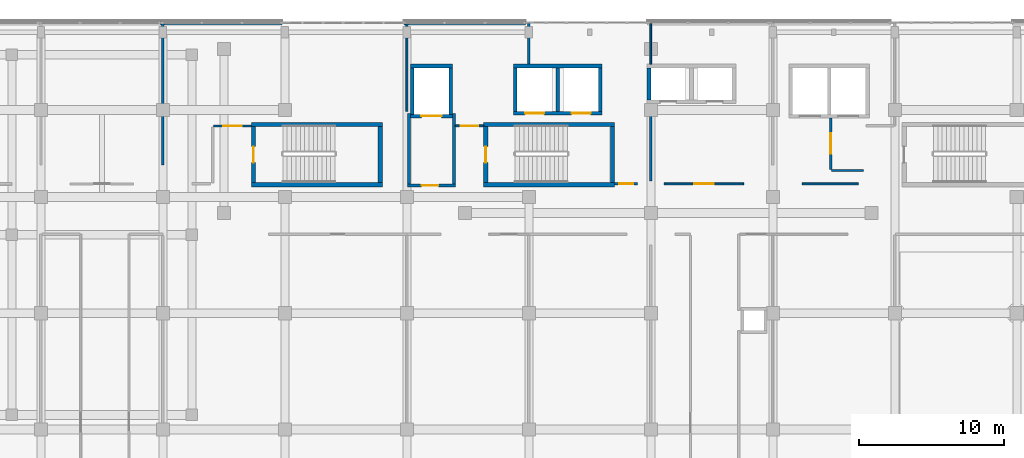
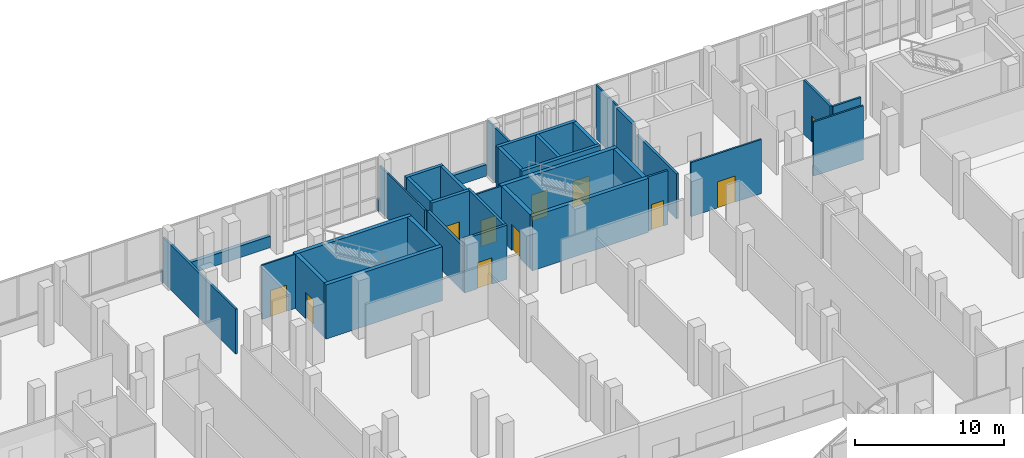
# One storey, part 148 of 168: 35 walls, 11 doors, 11 openings.
"""IFC4 building model written with IfcOpenShell, lengths in metres."""

from ifc_helpers import new_model, si_unit, direction, frame, frame_2d, origin, place, context, subcontext, project, spatial, rectangle, extrude, material, layer, layer_set, type_object, element, fill, save


model = new_model("IFC4")

# Units and contexts
model_context = context("Model", 3, precision=1e-05, world=origin(), true_north=direction((0.0, 1.0)))
body_context = subcontext(model_context, "Body", "Model", "MODEL_VIEW")
ifc_project = project(units=[si_unit("LENGTHUNIT", "METRE"), si_unit("AREAUNIT", "SQUARE_METRE"), si_unit("VOLUMEUNIT", "CUBIC_METRE"), si_unit("PLANEANGLEUNIT", "RADIAN"), si_unit("MASSUNIT", "GRAM", prefix="KILO")], contexts=[model_context])

# Site, building, storey
site_placement = place(None, origin())
site = spatial("IfcSite", under=ifc_project, at=site_placement, CompositionType="ELEMENT")
building_placement = place(site_placement, origin())
building = spatial("IfcBuilding", under=site, at=building_placement, Name="Selatvlak General Hospital", CompositionType="ELEMENT")
storey_placement = place(building_placement, frame((0.0, 0.0, 5.39990234375)))
storey = spatial("IfcBuildingStorey", under=building, at=storey_placement, Name="L01", CompositionType="ELEMENT", Elevation=5.39990234375)

# Walls
ifc_material_1 = material(Name="Precast concrete C40/50 - white Bauhaus spandrel", Category="concrete")
ifc_layer_1 = layer(ifc_material_1, 0.280029296875, Name="Precast concrete C40/50 - white Bauhaus spandrel", Category="concrete")
ifc_layer_set_1 = layer_set([ifc_layer_1], Name="Precast concrete C40/50 - white Bauhaus spandrel")
wall_type_1 = type_object("IfcWallType", Name="WALL-EW-02", PredefinedType="SOLIDWALL", material=ifc_layer_set_1)
wall_1_placement = place(storey_placement, frame((81.44189453125, 119.9990234375, 0.0), z_axis=(0.0, 0.0, 1.0), x_axis=(1.0, 0.0, 0.0)))
element("IfcWall", 1, at=wall_1_placement, inside=storey, type_object=wall_type_1, Name="L01 Bauhaus spandrel sill wall 0213", PredefinedType="SOLIDWALL", context=body_context, shape_type="SweptSolid", body=[
    extrude(rectangle(XDim=8.376220703125, YDim=0.280029296875, at=frame_2d((4.18798828125, 0.0))), origin(), (0.0, 0.0, 1.0), 0.940185546875),
])
wall_2_placement = place(storey_placement, frame((98.201904296875, 119.9990234375, 0.0), z_axis=(0.0, 0.0, 1.0), x_axis=(0.999999993202, 0.000116604477, 0.0)))
element("IfcWall", 2, at=wall_2_placement, inside=storey, type_object=wall_type_1, Name="L01 Bauhaus spandrel sill wall 0214", PredefinedType="SOLIDWALL", context=body_context, shape_type="SweptSolid", body=[
    extrude(rectangle(XDim=8.375, YDim=0.280029296875, at=frame_2d((4.1875, 0.0))), origin(), (0.0, 0.0, 1.0), 0.940185546875),
])

# Wall, opening, door
ifc_material_2 = material(Name="Concrete C40/50", Category="concrete")
ifc_layer_2 = layer(ifc_material_2, 0.199951171875, Name="Concrete C40/50", Category="concrete")
ifc_layer_set_2 = layer_set([ifc_layer_2], Name="Concrete C40/50")
wall_type_2 = type_object("IfcWallType", Name="WALL-IW-02", PredefinedType="SOLIDWALL", material=ifc_layer_set_2)
wall_3_placement = place(storey_placement, frame((98.449951171875, 108.800048828125, 0.0), z_axis=(0.0, 0.0, 1.0), x_axis=(1.0, 0.0, 0.0)))
wall_3 = element("IfcWall", 3, at=wall_3_placement, inside=storey, type_object=wall_type_2, Name="Firefighting lobby C2 wall L01 S", PredefinedType="SOLIDWALL", context=body_context, shape_type="SweptSolid", body=[
    extrude(rectangle(XDim=3.300048828125, YDim=0.199951171875, at=frame_2d((1.64990234375, 0.0))), origin(), (0.0, 0.0, 1.0), 4.445068359375),
])
opening_1_placement = place(wall_3_placement, frame((0.97509765625, 0.0, 0.0)))
opening_1 = element("IfcOpeningElement", 4, at=opening_1_placement, cuts=wall_3, Name="Opening D-06", PredefinedType="OPENING", context=body_context, shape_type="SweptSolid", body=[
    extrude(rectangle(XDim=1.14990234375, YDim=2.14990234375, at=frame_2d((0.574951171875, 1.074951171875))), frame((0.0, 0.10986328125, 0.0), z_axis=(0.0, -1.0, 0.0), x_axis=(1.0, 0.0, 0.0)), (0.0, 0.0, 1.0), 0.219970703125),
])
ifc_material_3 = material(Name="Firefighting lobby fire door")
door_type_1 = type_object("IfcDoorType", Name="DOOR-D-06", OperationType="NOTDEFINED", PredefinedType="DOOR", material=ifc_material_3)
door_1_placement = place(opening_1_placement, origin())
door_1 = element("IfcDoor", 5, at=door_1_placement, inside=storey, type_object=door_type_1, Name="Firefighting lobby C2 door on L01", OperationType="SINGLE_SWING_LEFT", OverallHeight=2.14990234375, OverallWidth=1.14990234375, PredefinedType="DOOR", context=body_context, shape_type="SweptSolid", body=[
    extrude(rectangle(XDim=1.14990234375, YDim=2.14990234375, at=frame_2d((0.574951171875, 1.074951171875))), frame((0.0, 0.02490234375, 0.0), z_axis=(0.0, -1.0, 0.0), x_axis=(1.0, 0.0, 0.0)), (0.0, 0.0, 1.0), 0.050048828125),
])
fill(opening_1, door_1)

# Walls
wall_4_placement = place(storey_placement, frame((101.64990234375, 108.89990234375, 0.0), z_axis=(0.0, 0.0, 1.0), x_axis=(0.0, 1.0, 0.0)))
element("IfcWall", 6, at=wall_4_placement, inside=storey, type_object=wall_type_2, Name="Firefighting lobby C2 wall L01 E", PredefinedType="SOLIDWALL", context=body_context, shape_type="SweptSolid", body=[
    extrude(rectangle(XDim=4.85009765625, YDim=0.199951171875, at=frame_2d((2.425048828125, 0.0))), origin(), (0.0, 0.0, 1.0), 4.445068359375),
])
wall_5_placement = place(storey_placement, frame((98.550048828125, 113.75, 0.0), z_axis=(0.0, 0.0, 1.0), x_axis=(0.0, -1.0, 0.0)))
element("IfcWall", 7, at=wall_5_placement, inside=storey, type_object=wall_type_2, Name="Firefighting lobby C2 wall L01 W", PredefinedType="SOLIDWALL", context=body_context, shape_type="SweptSolid", body=[
    extrude(rectangle(XDim=4.85009765625, YDim=0.199951171875, at=frame_2d((2.425048828125, 0.0))), origin(), (0.0, 0.0, 1.0), 3.695068359375),
])
ifc_material_4 = material(Name="Acoustic gypsum stud partition")
ifc_layer_3 = layer(ifc_material_4, 0.179931640625, Name="Acoustic gypsum stud partition")
ifc_layer_set_3 = layer_set([ifc_layer_3], Name="Acoustic gypsum stud partition")
wall_type_3 = type_object("IfcWallType", Name="WALL-PT-01", PredefinedType="PARTITIONING", material=ifc_layer_set_3)
wall_6_placement = place(storey_placement, frame((115.199951171875, 114.452880859375, 0.0), z_axis=(0.0, 0.0, 1.0), x_axis=(0.0, -1.0, 0.0)))
element("IfcWall", 8, at=wall_6_placement, inside=storey, type_object=wall_type_3, Name="L01 clinical partition PT-L01-1015", PredefinedType="PARTITIONING", context=body_context, shape_type="SweptSolid", body=[
    extrude(rectangle(XDim=5.3427734375, YDim=0.179931640625, at=frame_2d((2.67138671875, 0.0))), origin(), (0.0, 0.0, 1.0), 3.695068359375),
])
ifc_layer_4 = layer(ifc_material_4, 0.1650390625, Name="Acoustic gypsum stud partition")
ifc_layer_set_4 = layer_set([ifc_layer_4], Name="Acoustic gypsum stud partition")
wall_type_4 = type_object("IfcWallType", Name="WALL-PT-02", PredefinedType="PARTITIONING", material=ifc_layer_set_4)
wall_7_placement = place(storey_placement, frame((81.60009765625, 119.95703125, 0.0), z_axis=(0.0, 0.0, 1.0), x_axis=(0.0, -1.0, 0.0)))
element("IfcWall", 9, at=wall_7_placement, inside=storey, type_object=wall_type_4, Name="L01 clinical partition PT-L01-1006", PredefinedType="PARTITIONING", context=body_context, shape_type="SweptSolid", body=[
    extrude(rectangle(XDim=9.7470703125, YDim=0.1650390625, at=frame_2d((4.87353515625, 0.0))), origin(), (0.0, 0.0, 1.0), 3.695068359375),
])

# Wall, opening, door
wall_8_placement = place(storey_placement, frame((114.287109375, 108.909912109375, 0.0), z_axis=(0.0, 0.0, 1.0), x_axis=(-1.0, 0.0, 0.0)))
wall_8 = element("IfcWall", 10, at=wall_8_placement, inside=storey, type_object=wall_type_4, Name="L01 clinical partition PT-L01-1016", PredefinedType="PARTITIONING", context=body_context, shape_type="SweptSolid", body=[
    extrude(rectangle(XDim=1.5771484375, YDim=0.1650390625, at=frame_2d((0.78857421875, 0.0))), origin(), (0.0, 0.0, 1.0), 4.445068359375),
])
opening_2_placement = place(wall_8_placement, frame((0.31396484375, 0.0, 0.0)))
opening_2 = element("IfcOpeningElement", 11, at=opening_2_placement, cuts=wall_8, Name="Opening D-02", PredefinedType="OPENING", context=body_context, shape_type="SweptSolid", body=[
    extrude(rectangle(XDim=0.949951171875, YDim=2.10009765625, at=frame_2d((0.47509765625, 1.050048828125))), frame((0.0, 0.092529296875, 0.0), z_axis=(0.0, -1.0, 0.0), x_axis=(1.0, 0.0, 0.0)), (0.0, 0.0, 1.0), 0.18505859375),
])
ifc_material_5 = material(Name="Moisture-resistant en-suite door")
door_type_2 = type_object("IfcDoorType", Name="DOOR-D-02", OperationType="NOTDEFINED", PredefinedType="DOOR", material=ifc_material_5)
door_2_placement = place(opening_2_placement, origin())
door_2 = element("IfcDoor", 12, at=door_2_placement, inside=storey, type_object=door_type_2, Name="L01 High Dependency Critical Care Bay 73 door", OperationType="SINGLE_SWING_RIGHT", OverallHeight=2.10009765625, OverallWidth=0.949951171875, PredefinedType="DOOR", context=body_context, shape_type="SweptSolid", body=[
    extrude(rectangle(XDim=0.949951171875, YDim=2.10009765625, at=frame_2d((0.47509765625, 1.050048828125))), frame((0.0, 0.02490234375, 0.0), z_axis=(0.0, -1.0, 0.0), x_axis=(1.0, 0.0, 0.0)), (0.0, 0.0, 1.0), 0.050048828125),
])
fill(opening_2, door_2)

wall_9_placement = place(storey_placement, frame((127.590087890625, 113.452880859375, 0.0), z_axis=(0.0, 0.0, 1.0), x_axis=(0.0, -1.0, 0.0)))
wall_9 = element("IfcWall", 13, at=wall_9_placement, inside=storey, type_object=wall_type_4, Name="L01 clinical partition PT-L01-1021", PredefinedType="PARTITIONING", context=body_context, shape_type="SweptSolid", body=[
    extrude(rectangle(XDim=3.552978515625, YDim=0.1650390625, at=frame_2d((1.7763671875, 0.0))), origin(), (0.0, 0.0, 1.0), 4.445068359375),
])
opening_3_placement = place(wall_9_placement, frame((1.075927734375, 0.0, 0.0)))
opening_3 = element("IfcOpeningElement", 14, at=opening_3_placement, cuts=wall_9, Name="Opening D-11", PredefinedType="OPENING", context=body_context, shape_type="SweptSolid", body=[
    extrude(rectangle(XDim=1.39990234375, YDim=2.14990234375, at=frame_2d((0.699951171875, 1.074951171875))), frame((0.0, 0.092529296875, 0.0), z_axis=(0.0, -1.0, 0.0), x_axis=(1.0, 0.0, 0.0)), (0.0, 0.0, 1.0), 0.18505859375),
])
ifc_material_6 = material(Name="Inpatient suite bed door")
door_type_3 = type_object("IfcDoorType", Name="DOOR-D-11", OperationType="NOTDEFINED", PredefinedType="DOOR", material=ifc_material_6)
door_3_placement = place(opening_3_placement, origin())
door_3 = element("IfcDoor", 15, at=door_3_placement, inside=storey, type_object=door_type_3, Name="L01 Bronchoscopy Treatment Room 75 door", OperationType="SINGLE_SWING_RIGHT", OverallHeight=2.14990234375, OverallWidth=1.39990234375, PredefinedType="DOOR", context=body_context, shape_type="SweptSolid", body=[
    extrude(rectangle(XDim=1.39990234375, YDim=2.14990234375, at=frame_2d((0.699951171875, 1.074951171875))), frame((0.0, 0.02490234375, 0.0), z_axis=(0.0, -1.0, 0.0), x_axis=(1.0, 0.0, 0.0)), (0.0, 0.0, 1.0), 0.050048828125),
])
fill(opening_3, door_3)

# Walls
ifc_layer_5 = layer(ifc_material_4, 0.14990234375, Name="Acoustic gypsum stud partition")
ifc_layer_set_5 = layer_set([ifc_layer_5], Name="Acoustic gypsum stud partition")
wall_type_5 = type_object("IfcWallType", Name="WALL-PT-03", PredefinedType="PARTITIONING", material=ifc_layer_set_5)
wall_10_placement = place(storey_placement, frame((106.800048828125, 119.989013671875, 0.0), z_axis=(0.0, 0.0, 1.0), x_axis=(0.0, -1.0, 0.0)))
element("IfcWall", 16, at=wall_10_placement, inside=storey, type_object=wall_type_5, Name="L01 clinical partition PT-L01-1012", PredefinedType="PARTITIONING", context=body_context, shape_type="SweptSolid", body=[
    extrude(rectangle(XDim=2.842041015625, YDim=0.14990234375, at=frame_2d((1.4208984375, 0.0))), origin(), (0.0, 0.0, 1.0), 4.445068359375),
])
wall_11_placement = place(storey_placement, frame((127.64990234375, 109.840087890625, 0.0), z_axis=(0.0, 0.0, 1.0), x_axis=(1.0, 0.0, 0.0)))
element("IfcWall", 17, at=wall_11_placement, inside=storey, type_object=wall_type_5, Name="L01 clinical partition PT-L01-1022", PredefinedType="PARTITIONING", context=body_context, shape_type="SweptSolid", body=[
    extrude(rectangle(XDim=2.190185546875, YDim=0.14990234375, at=frame_2d((1.09521484375, 0.0))), origin(), (0.0, 0.0, 1.0), 4.445068359375),
])
ifc_material_7 = material(Name="Moisture-resistant clinical partition")
ifc_layer_6 = layer(ifc_material_7, 0.135009765625, Name="Moisture-resistant clinical partition")
ifc_layer_set_6 = layer_set([ifc_layer_6], Name="Moisture-resistant clinical partition")
wall_type_6 = type_object("IfcWallType", Name="WALL-PT-04", PredefinedType="PARTITIONING", material=ifc_layer_set_6)
wall_12_placement = place(storey_placement, frame((98.39990234375, 119.95703125, 0.0), z_axis=(0.0, 0.0, 1.0), x_axis=(0.0, -1.0, 0.0)))
element("IfcWall", 18, at=wall_12_placement, inside=storey, type_object=wall_type_6, Name="L01 clinical partition PT-L01-1008", PredefinedType="PARTITIONING", context=body_context, shape_type="SweptSolid", body=[
    extrude(rectangle(XDim=6.05810546875, YDim=0.135009765625, at=frame_2d((3.029052734375, 0.0))), origin(), (0.0, 0.0, 1.0), 3.695068359375),
])

# Wall, opening, door
wall_13_placement = place(storey_placement, frame((103.68994140625, 112.89990234375, 0.0), z_axis=(0.0, 0.0, 1.0), x_axis=(-1.0, 0.0, 0.0)))
wall_13 = element("IfcWall", 19, at=wall_13_placement, inside=storey, type_object=wall_type_6, Name="L01 clinical partition PT-L01-1013", PredefinedType="PARTITIONING", context=body_context, shape_type="SweptSolid", body=[
    extrude(rectangle(XDim=1.94287109375, YDim=0.135009765625, at=frame_2d((0.971435546875, 0.0))), origin(), (0.0, 0.0, 1.0), 4.445068359375),
])
opening_4_placement = place(wall_13_placement, frame((0.37109375, 0.0, 0.0)))
opening_4 = element("IfcOpeningElement", 20, at=opening_4_placement, cuts=wall_13, Name="Opening D-07", PredefinedType="OPENING", context=body_context, shape_type="SweptSolid", body=[
    extrude(rectangle(XDim=1.199951171875, YDim=2.14990234375, at=frame_2d((0.60009765625, 1.074951171875))), frame((0.0, 0.077392578125, 0.0), z_axis=(0.0, -1.0, 0.0), x_axis=(1.0, 0.0, 0.0)), (0.0, 0.0, 1.0), 0.155029296875),
])
ifc_material_8 = material(Name="Plant and store fire door")
door_type_4 = type_object("IfcDoorType", Name="DOOR-D-07", OperationType="NOTDEFINED", PredefinedType="DOOR", material=ifc_material_8)
door_4_placement = place(opening_4_placement, origin())
door_4 = element("IfcDoor", 21, at=door_4_placement, inside=storey, type_object=door_type_4, Name="L01 Paediatric Intensive Care Unit 72 door", OperationType="SINGLE_SWING_LEFT", OverallHeight=2.14990234375, OverallWidth=1.199951171875, PredefinedType="DOOR", context=body_context, shape_type="SweptSolid", body=[
    extrude(rectangle(XDim=1.199951171875, YDim=2.14990234375, at=frame_2d((0.60009765625, 1.074951171875))), frame((0.0, 0.02490234375, 0.0), z_axis=(0.0, -1.0, 0.0), x_axis=(1.0, 0.0, 0.0)), (0.0, 0.0, 1.0), 0.050048828125),
])
fill(opening_4, door_4)

wall_14_placement = place(storey_placement, frame((121.589111328125, 108.909912109375, 0.0), z_axis=(0.0, 0.0, 1.0), x_axis=(-1.0, 0.0, 0.0)))
wall_14 = element("IfcWall", 22, at=wall_14_placement, inside=storey, type_object=wall_type_6, Name="L01 clinical partition PT-L01-1018", PredefinedType="PARTITIONING", context=body_context, shape_type="SweptSolid", body=[
    extrude(rectangle(XDim=5.47607421875, YDim=0.135009765625, at=frame_2d((2.738037109375, 0.0))), origin(), (0.0, 0.0, 1.0), 4.445068359375),
])
opening_5_placement = place(wall_14_placement, frame((2.06298828125, 0.0, 0.0)))
opening_5 = element("IfcOpeningElement", 23, at=opening_5_placement, cuts=wall_14, Name="Opening D-10", PredefinedType="OPENING", context=body_context, shape_type="SweptSolid", body=[
    extrude(rectangle(XDim=1.35009765625, YDim=2.14990234375, at=frame_2d((0.675048828125, 1.074951171875))), frame((0.0, 0.077392578125, 0.0), z_axis=(0.0, -1.0, 0.0), x_axis=(1.0, 0.0, 0.0)), (0.0, 0.0, 1.0), 0.155029296875),
])
ifc_material_9 = material(Name="Single patient bed door")
door_type_5 = type_object("IfcDoorType", Name="DOOR-D-10", OperationType="NOTDEFINED", PredefinedType="DOOR", material=ifc_material_9)
door_5_placement = place(opening_5_placement, origin())
door_5 = element("IfcDoor", 24, at=door_5_placement, inside=storey, type_object=door_type_5, Name="L01 Endoscopy Procedure Suite 74 door", OperationType="SINGLE_SWING_LEFT", OverallHeight=2.14990234375, OverallWidth=1.35009765625, PredefinedType="DOOR", context=body_context, shape_type="SweptSolid", body=[
    extrude(rectangle(XDim=1.35009765625, YDim=2.14990234375, at=frame_2d((0.675048828125, 1.074951171875))), frame((0.0, 0.02490234375, 0.0), z_axis=(0.0, -1.0, 0.0), x_axis=(1.0, 0.0, 0.0)), (0.0, 0.0, 1.0), 0.050048828125),
])
fill(opening_5, door_5)

# Wall
wall_15_placement = place(storey_placement, frame((129.487060546875, 108.909912109375, 0.0), z_axis=(0.0, 0.0, 1.0), x_axis=(-1.0, 0.0, 0.0)))
element("IfcWall", 25, at=wall_15_placement, inside=storey, type_object=wall_type_6, Name="L01 clinical partition PT-L01-1023", PredefinedType="PARTITIONING", context=body_context, shape_type="SweptSolid", body=[
    extrude(rectangle(XDim=3.8759765625, YDim=0.135009765625, at=frame_2d((1.93798828125, 0.0))), origin(), (0.0, 0.0, 1.0), 4.445068359375),
])

# Wall, opening, door
ifc_layer_7 = layer(ifc_material_7, 0.1201171875, Name="Moisture-resistant clinical partition")
ifc_layer_set_7 = layer_set([ifc_layer_7], Name="Moisture-resistant clinical partition")
wall_type_7 = type_object("IfcWallType", Name="WALL-PT-05", PredefinedType="PARTITIONING", material=ifc_layer_set_7)
wall_16_placement = place(storey_placement, frame((87.68994140625, 112.89990234375, 0.0), z_axis=(0.0, 0.0, 1.0), x_axis=(-1.0, 0.0, 0.0)))
wall_16 = element("IfcWall", 26, at=wall_16_placement, inside=storey, type_object=wall_type_7, Name="L01 clinical partition PT-L01-1009", PredefinedType="PARTITIONING", context=body_context, shape_type="SweptSolid", body=[
    extrude(rectangle(XDim=2.58984375, YDim=0.1201171875, at=frame_2d((1.294921875, 0.0))), origin(), (0.0, 0.0, 1.0), 4.445068359375),
])
opening_6_placement = place(wall_16_placement, frame((0.669921875, 0.0, 0.0)))
opening_6 = element("IfcOpeningElement", 27, at=opening_6_placement, cuts=wall_16, Name="Opening D-08", PredefinedType="OPENING", context=body_context, shape_type="SweptSolid", body=[
    extrude(rectangle(XDim=1.25, YDim=2.14990234375, at=frame_2d((0.625, 1.074951171875))), frame((0.0, 0.070068359375, 0.0), z_axis=(0.0, -1.0, 0.0), x_axis=(1.0, 0.0, 0.0)), (0.0, 0.0, 1.0), 0.14013671875),
])
ifc_material_10 = material(Name="Diagnostic treatment door")
door_type_6 = type_object("IfcDoorType", Name="DOOR-D-08", OperationType="NOTDEFINED", PredefinedType="DOOR", material=ifc_material_10)
door_6_placement = place(opening_6_placement, origin())
door_6 = element("IfcDoor", 28, at=door_6_placement, inside=storey, type_object=door_type_6, Name="L01 Adult Intensive Care Unit Bay 71 door", OperationType="SINGLE_SWING_RIGHT", OverallHeight=2.14990234375, OverallWidth=1.25, PredefinedType="DOOR", context=body_context, shape_type="SweptSolid", body=[
    extrude(rectangle(XDim=1.25, YDim=2.14990234375, at=frame_2d((0.625, 1.074951171875))), frame((0.0, 0.02490234375, 0.0), z_axis=(0.0, -1.0, 0.0), x_axis=(1.0, 0.0, 0.0)), (0.0, 0.0, 1.0), 0.050048828125),
])
fill(opening_6, door_6)

# Walls
wall_17_placement = place(storey_placement, frame((115.199951171875, 119.9580078125, 0.0), z_axis=(0.0, 0.0, 1.0), x_axis=(0.0, -1.0, 0.0)))
element("IfcWall", 29, at=wall_17_placement, inside=storey, type_object=wall_type_7, Name="L01 clinical partition PT-L01-1014", PredefinedType="PARTITIONING", context=body_context, shape_type="SweptSolid", body=[
    extrude(rectangle(XDim=2.81103515625, YDim=0.1201171875, at=frame_2d((1.405517578125, 0.0))), origin(), (0.0, 0.0, 1.0), 4.445068359375),
])
ifc_material_11 = material(Name="Concrete C45/55", Category="concrete")
ifc_layer_8 = layer(ifc_material_11, 0.300048828125, Name="Concrete C45/55", Category="concrete")
ifc_layer_set_8 = layer_set([ifc_layer_8], Name="Concrete C45/55")
wall_type_8 = type_object("IfcWallType", Name="WALL-SW-02", PredefinedType="SHEAR", material=ifc_layer_set_8)
wall_18_placement = place(storey_placement, frame((87.68994140625, 108.840087890625, 0.0), z_axis=(0.0, 0.0, 1.0), x_axis=(1.0, 0.0, 0.0)))
element("IfcWall", 30, at=wall_18_placement, inside=storey, type_object=wall_type_8, Name="ST-02 core shear wall L01 S", PredefinedType="SHEAR", context=body_context, shape_type="SweptSolid", body=[
    extrude(rectangle(XDim=9.02001953125, YDim=0.300048828125, at=frame_2d((4.510009765625, 0.0))), origin(), (0.0, 0.0, 1.0), 4.445068359375),
])
wall_19_placement = place(storey_placement, frame((96.56005859375, 108.989990234375, 0.0), z_axis=(0.0, 0.0, 1.0), x_axis=(0.0, 1.0, 0.0)))
element("IfcWall", 31, at=wall_19_placement, inside=storey, type_object=wall_type_8, Name="ST-02 core shear wall L01 E", PredefinedType="SHEAR", context=body_context, shape_type="SweptSolid", body=[
    extrude(rectangle(XDim=3.860107421875, YDim=0.300048828125, at=frame_2d((1.93017578125, 0.0))), origin(), (0.0, 0.0, 1.0), 4.445068359375),
])
wall_20_placement = place(storey_placement, frame((96.7099609375, 113.0, 0.0), z_axis=(0.0, 0.0, 1.0), x_axis=(-1.0, 0.0, 0.0)))
element("IfcWall", 32, at=wall_20_placement, inside=storey, type_object=wall_type_8, Name="ST-02 core shear wall L01 N", PredefinedType="SHEAR", context=body_context, shape_type="SweptSolid", body=[
    extrude(rectangle(XDim=9.02001953125, YDim=0.300048828125, at=frame_2d((4.510009765625, 0.0))), origin(), (0.0, 0.0, 1.0), 4.445068359375),
])

# Wall, opening, door
wall_21_placement = place(storey_placement, frame((87.840087890625, 112.85009765625, 0.0), z_axis=(0.0, 0.0, 1.0), x_axis=(0.0, -1.0, 0.0)))
wall_21 = element("IfcWall", 33, at=wall_21_placement, inside=storey, type_object=wall_type_8, Name="ST-02 core shear wall L01 W", PredefinedType="SHEAR", context=body_context, shape_type="SweptSolid", body=[
    extrude(rectangle(XDim=3.860107421875, YDim=0.300048828125, at=frame_2d((1.93017578125, 0.0))), origin(), (0.0, 0.0, 1.0), 4.445068359375),
])
opening_7_placement = place(wall_21_placement, frame((1.3798828125, 0.0, 0.0)))
opening_7 = element("IfcOpeningElement", 34, at=opening_7_placement, cuts=wall_21, Name="Opening D-05", PredefinedType="OPENING", context=body_context, shape_type="SweptSolid", body=[
    extrude(rectangle(XDim=1.10009765625, YDim=2.14990234375, at=frame_2d((0.550048828125, 1.074951171875))), frame((0.0, 0.159912109375, 0.0), z_axis=(0.0, -1.0, 0.0), x_axis=(1.0, 0.0, 0.0)), (0.0, 0.0, 1.0), 0.320068359375),
])
ifc_material_12 = material(Name="Protected stair fire door")
door_type_7 = type_object("IfcDoorType", Name="DOOR-D-05", OperationType="NOTDEFINED", PredefinedType="DOOR", material=ifc_material_12)
door_7_placement = place(opening_7_placement, origin())
door_7 = element("IfcDoor", 35, at=door_7_placement, inside=storey, type_object=door_type_7, Name="ST-02 protected stair door on L01", OperationType="SINGLE_SWING_RIGHT", OverallHeight=2.14990234375, OverallWidth=1.10009765625, PredefinedType="DOOR", context=body_context, shape_type="SweptSolid", body=[
    extrude(rectangle(XDim=1.10009765625, YDim=2.14990234375, at=frame_2d((0.550048828125, 1.074951171875))), frame((0.0, 0.02490234375, 0.0), z_axis=(0.0, -1.0, 0.0), x_axis=(1.0, 0.0, 0.0)), (0.0, 0.0, 1.0), 0.050048828125),
])
fill(opening_7, door_7)

# Walls
wall_22_placement = place(storey_placement, frame((103.68994140625, 108.840087890625, 0.0), z_axis=(0.0, 0.0, 1.0), x_axis=(1.0, 0.0, 0.0)))
element("IfcWall", 36, at=wall_22_placement, inside=storey, type_object=wall_type_8, Name="ST-03 core shear wall L01 S", PredefinedType="SHEAR", context=body_context, shape_type="SweptSolid", body=[
    extrude(rectangle(XDim=9.02001953125, YDim=0.300048828125, at=frame_2d((4.510009765625, 0.0))), origin(), (0.0, 0.0, 1.0), 4.445068359375),
])
wall_23_placement = place(storey_placement, frame((112.56005859375, 108.989990234375, 0.0), z_axis=(0.0, 0.0, 1.0), x_axis=(0.0, 1.0, 0.0)))
element("IfcWall", 37, at=wall_23_placement, inside=storey, type_object=wall_type_8, Name="ST-03 core shear wall L01 E", PredefinedType="SHEAR", context=body_context, shape_type="SweptSolid", body=[
    extrude(rectangle(XDim=3.860107421875, YDim=0.300048828125, at=frame_2d((1.93017578125, 0.0))), origin(), (0.0, 0.0, 1.0), 4.445068359375),
])
wall_24_placement = place(storey_placement, frame((112.7099609375, 113.0, 0.0), z_axis=(0.0, 0.0, 1.0), x_axis=(-1.0, 0.0, 0.0)))
element("IfcWall", 38, at=wall_24_placement, inside=storey, type_object=wall_type_8, Name="ST-03 core shear wall L01 N", PredefinedType="SHEAR", context=body_context, shape_type="SweptSolid", body=[
    extrude(rectangle(XDim=9.02001953125, YDim=0.300048828125, at=frame_2d((4.510009765625, 0.0))), origin(), (0.0, 0.0, 1.0), 4.445068359375),
])

# Wall, opening, door
wall_25_placement = place(storey_placement, frame((103.840087890625, 112.85009765625, 0.0), z_axis=(0.0, 0.0, 1.0), x_axis=(0.0, -1.0, 0.0)))
wall_25 = element("IfcWall", 39, at=wall_25_placement, inside=storey, type_object=wall_type_8, Name="ST-03 core shear wall L01 W", PredefinedType="SHEAR", context=body_context, shape_type="SweptSolid", body=[
    extrude(rectangle(XDim=3.860107421875, YDim=0.300048828125, at=frame_2d((1.93017578125, 0.0))), origin(), (0.0, 0.0, 1.0), 4.445068359375),
])
opening_8_placement = place(wall_25_placement, frame((1.3798828125, 0.0, 0.0)))
opening_8 = element("IfcOpeningElement", 40, at=opening_8_placement, cuts=wall_25, Name="Opening D-05", PredefinedType="OPENING", context=body_context, shape_type="SweptSolid", body=[
    extrude(rectangle(XDim=1.10009765625, YDim=2.14990234375, at=frame_2d((0.550048828125, 1.074951171875))), frame((0.0, 0.159912109375, 0.0), z_axis=(0.0, -1.0, 0.0), x_axis=(1.0, 0.0, 0.0)), (0.0, 0.0, 1.0), 0.320068359375),
])
door_8_placement = place(opening_8_placement, origin())
door_8 = element("IfcDoor", 41, at=door_8_placement, inside=storey, type_object=door_type_7, Name="ST-03 protected stair door on L01", OperationType="SINGLE_SWING_LEFT", OverallHeight=2.14990234375, OverallWidth=1.10009765625, PredefinedType="DOOR", context=body_context, shape_type="SweptSolid", body=[
    extrude(rectangle(XDim=1.10009765625, YDim=2.14990234375, at=frame_2d((0.550048828125, 1.074951171875))), frame((0.0, 0.02490234375, 0.0), z_axis=(0.0, -1.0, 0.0), x_axis=(1.0, 0.0, 0.0)), (0.0, 0.0, 1.0), 0.050048828125),
])
fill(opening_8, door_8)

ifc_layer_9 = layer(ifc_material_2, 0.25, Name="Concrete C40/50", Category="concrete")
ifc_layer_set_9 = layer_set([ifc_layer_9], Name="Concrete C40/50")
wall_type_9 = type_object("IfcWallType", Name="WALL-SW-03", PredefinedType="SHEAR", material=ifc_layer_set_9)
wall_26_placement = place(storey_placement, frame((98.64990234375, 113.574951171875, 0.0), z_axis=(0.0, 0.0, 1.0), x_axis=(1.0, 0.0, 0.0)))
wall_26 = element("IfcWall", 42, at=wall_26_placement, inside=storey, type_object=wall_type_9, Name="Lift LF-02 shaft wall L01 S", PredefinedType="SHEAR", context=body_context, shape_type="SweptSolid", body=[
    extrude(rectangle(XDim=2.900146484375, YDim=0.25, at=frame_2d((1.4501953125, 0.0))), origin(), (0.0, 0.0, 1.0), 4.445068359375),
])
opening_9_placement = place(wall_26_placement, frame((0.75, 0.0, 0.0)))
opening_9 = element("IfcOpeningElement", 43, at=opening_9_placement, cuts=wall_26, Name="Opening LD-F1", PredefinedType="OPENING", context=body_context, shape_type="SweptSolid", body=[
    extrude(rectangle(XDim=1.39990234375, YDim=2.14990234375, at=frame_2d((0.699951171875, 1.074951171875))), frame((0.0, 0.135009765625, 0.0), z_axis=(0.0, -1.0, 0.0), x_axis=(1.0, 0.0, 0.0)), (0.0, 0.0, 1.0), 0.27001953125),
])
ifc_material_13 = material(Name="Stainless steel fire lift landing door", Category="steel")
door_type_8 = type_object("IfcDoorType", Name="DOOR-LD-F1", OperationType="DOUBLE_DOOR_SLIDING", PredefinedType="DOOR", material=ifc_material_13)
door_9_placement = place(opening_9_placement, origin())
door_9 = element("IfcDoor", 44, at=door_9_placement, inside=storey, type_object=door_type_8, Name="Lift LF-02 sliding landing door on L01", OperationType="DOUBLE_DOOR_SLIDING", OverallHeight=2.14990234375, OverallWidth=1.39990234375, PredefinedType="DOOR", context=body_context, shape_type="SweptSolid", body=[
    extrude(rectangle(XDim=1.39990234375, YDim=2.14990234375, at=frame_2d((0.699951171875, 1.074951171875))), frame((0.0, 0.02490234375, 0.0), z_axis=(0.0, -1.0, 0.0), x_axis=(1.0, 0.0, 0.0)), (0.0, 0.0, 1.0), 0.050048828125),
])
fill(opening_9, door_9)

# Walls
wall_27_placement = place(storey_placement, frame((101.425048828125, 113.699951171875, 0.0), z_axis=(0.0, 0.0, 1.0), x_axis=(0.0, 1.0, 0.0)))
element("IfcWall", 45, at=wall_27_placement, inside=storey, type_object=wall_type_9, Name="Lift LF-02 shaft wall L01 E", PredefinedType="SHEAR", context=body_context, shape_type="SweptSolid", body=[
    extrude(rectangle(XDim=3.199951171875, YDim=0.25, at=frame_2d((1.60009765625, 0.0))), origin(), (0.0, 0.0, 1.0), 4.445068359375),
])
wall_28_placement = place(storey_placement, frame((101.550048828125, 117.02490234375, 0.0), z_axis=(0.0, 0.0, 1.0), x_axis=(-1.0, 0.0, 0.0)))
element("IfcWall", 46, at=wall_28_placement, inside=storey, type_object=wall_type_9, Name="Lift LF-02 shaft wall L01 N", PredefinedType="SHEAR", context=body_context, shape_type="SweptSolid", body=[
    extrude(rectangle(XDim=2.900146484375, YDim=0.25, at=frame_2d((1.4501953125, 0.0))), origin(), (0.0, 0.0, 1.0), 4.445068359375),
])
wall_29_placement = place(storey_placement, frame((98.77490234375, 116.89990234375, 0.0), z_axis=(0.0, 0.0, 1.0), x_axis=(0.0, -1.0, 0.0)))
element("IfcWall", 47, at=wall_29_placement, inside=storey, type_object=wall_type_9, Name="Lift LF-02 shaft wall L01 W", PredefinedType="SHEAR", context=body_context, shape_type="SweptSolid", body=[
    extrude(rectangle(XDim=3.199951171875, YDim=0.25, at=frame_2d((1.60009765625, 0.0))), origin(), (0.0, 0.0, 1.0), 4.445068359375),
])

# Wall, openings, doors
wall_30_placement = place(storey_placement, frame((105.75, 113.77490234375, 0.0), z_axis=(0.0, 0.0, 1.0), x_axis=(1.0, 0.0, 0.0)))
wall_30 = element("IfcWall", 48, at=wall_30_placement, inside=storey, type_object=wall_type_9, Name="Lift LS-01-LS-02 shaft wall L01 S", PredefinedType="SHEAR", context=body_context, shape_type="SweptSolid", body=[
    extrude(rectangle(XDim=6.10009765625, YDim=0.25, at=frame_2d((3.050048828125, 0.0))), origin(), (0.0, 0.0, 1.0), 4.445068359375),
])
opening_10_placement = place(wall_30_placement, frame((0.800048828125, 0.0, 0.0)))
opening_10 = element("IfcOpeningElement", 49, at=opening_10_placement, cuts=wall_30, Name="Opening LD-S1", PredefinedType="OPENING", context=body_context, shape_type="SweptSolid", body=[
    extrude(rectangle(XDim=1.300048828125, YDim=2.14990234375, at=frame_2d((0.64990234375, 1.074951171875))), frame((0.0, 0.135009765625, 0.0), z_axis=(0.0, -1.0, 0.0), x_axis=(1.0, 0.0, 0.0)), (0.0, 0.0, 1.0), 0.27001953125),
])
opening_11_placement = place(wall_30_placement, frame((4.0, 0.0, 0.0)))
opening_11 = element("IfcOpeningElement", 50, at=opening_11_placement, cuts=wall_30, Name="Opening LD-S1", PredefinedType="OPENING", context=body_context, shape_type="SweptSolid", body=[
    extrude(rectangle(XDim=1.300048828125, YDim=2.14990234375, at=frame_2d((0.64990234375, 1.074951171875))), frame((0.0, 0.135009765625, 0.0), z_axis=(0.0, -1.0, 0.0), x_axis=(1.0, 0.0, 0.0)), (0.0, 0.0, 1.0), 0.27001953125),
])
ifc_material_14 = material(Name="Stainless steel goods lift landing door", Category="steel")
door_type_9 = type_object("IfcDoorType", Name="DOOR-LD-S1", OperationType="DOUBLE_DOOR_SLIDING", PredefinedType="DOOR", material=ifc_material_14)
door_10_placement = place(opening_10_placement, origin())
door_10 = element("IfcDoor", 51, at=door_10_placement, inside=storey, type_object=door_type_9, Name="Lift LS-01 sliding landing door on L01", OperationType="DOUBLE_DOOR_SLIDING", OverallHeight=2.14990234375, OverallWidth=1.300048828125, PredefinedType="DOOR", context=body_context, shape_type="SweptSolid", body=[
    extrude(rectangle(XDim=1.300048828125, YDim=2.14990234375, at=frame_2d((0.64990234375, 1.074951171875))), frame((0.0, 0.02490234375, 0.0), z_axis=(0.0, -1.0, 0.0), x_axis=(1.0, 0.0, 0.0)), (0.0, 0.0, 1.0), 0.050048828125),
])
fill(opening_10, door_10)
door_11_placement = place(opening_11_placement, origin())
door_11 = element("IfcDoor", 52, at=door_11_placement, inside=storey, type_object=door_type_9, Name="Lift LS-02 sliding landing door on L01", OperationType="DOUBLE_DOOR_SLIDING", OverallHeight=2.14990234375, OverallWidth=1.300048828125, PredefinedType="DOOR", context=body_context, shape_type="SweptSolid", body=[
    extrude(rectangle(XDim=1.300048828125, YDim=2.14990234375, at=frame_2d((0.64990234375, 1.074951171875))), frame((0.0, 0.02490234375, 0.0), z_axis=(0.0, -1.0, 0.0), x_axis=(1.0, 0.0, 0.0)), (0.0, 0.0, 1.0), 0.050048828125),
])
fill(opening_11, door_11)

# Walls
wall_31_placement = place(storey_placement, frame((111.72509765625, 113.89990234375, 0.0), z_axis=(0.0, 0.0, 1.0), x_axis=(0.0, 1.0, 0.0)))
element("IfcWall", 53, at=wall_31_placement, inside=storey, type_object=wall_type_9, Name="Lift LS-01-LS-02 shaft wall L01 E", PredefinedType="SHEAR", context=body_context, shape_type="SweptSolid", body=[
    extrude(rectangle(XDim=3.0, YDim=0.25, at=frame_2d((1.5, 0.0))), origin(), (0.0, 0.0, 1.0), 4.445068359375),
])
wall_32_placement = place(storey_placement, frame((111.85009765625, 117.02490234375, 0.0), z_axis=(0.0, 0.0, 1.0), x_axis=(-1.0, 0.0, 0.0)))
element("IfcWall", 54, at=wall_32_placement, inside=storey, type_object=wall_type_9, Name="Lift LS-01-LS-02 shaft wall L01 N", PredefinedType="SHEAR", context=body_context, shape_type="SweptSolid", body=[
    extrude(rectangle(XDim=6.10009765625, YDim=0.25, at=frame_2d((3.050048828125, 0.0))), origin(), (0.0, 0.0, 1.0), 4.445068359375),
])
for number, where, z_axis, x_axis, name in (
    (55, (105.875, 116.89990234375, 0.0), (0.0, 0.0, 1.0), (0.0, -1.0, 0.0), "Lift LS-01-LS-02 shaft wall L01 W"),
    (56, (108.800048828125, 113.89990234375, 0.0), (0.0, 0.0, 1.0), (0.0, 1.0, 0.0), "Lift LS-01-LS-02 dividing shaft wall L01"),
):
    element("IfcWall", number, at=place(storey_placement, frame(where, z_axis=z_axis, x_axis=x_axis)), inside=storey, type_object=wall_type_9, Name=name, PredefinedType="SHEAR", context=body_context, shape_type="SweptSolid", body=[
        extrude(rectangle(XDim=3.0, YDim=0.25, at=frame_2d((1.5, 0.0))), origin(), (0.0, 0.0, 1.0), 4.445068359375),
    ])
wall_33_placement = place(storey_placement, frame((115.074951171875, 116.89990234375, 0.0), z_axis=(0.0, 0.0, 1.0), x_axis=(0.0, -1.0, 0.0)))
element("IfcWall", 57, at=wall_33_placement, inside=storey, type_object=wall_type_9, Name="Lift LP-05-LP-06 shaft wall L01 W", PredefinedType="SHEAR", context=body_context, shape_type="SweptSolid", body=[
    extrude(rectangle(XDim=2.199951171875, YDim=0.25, at=frame_2d((1.10009765625, 0.0))), origin(), (0.0, 0.0, 1.0), 4.445068359375),
])

save(model, "model.ifc")
